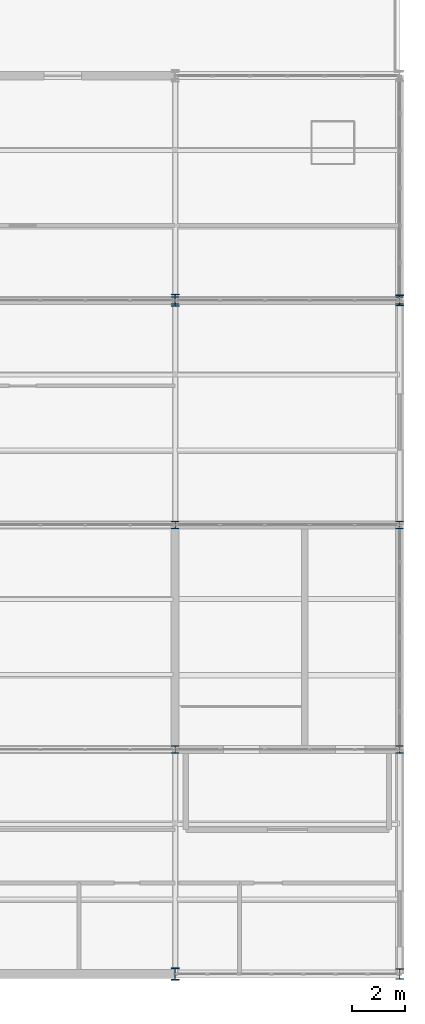
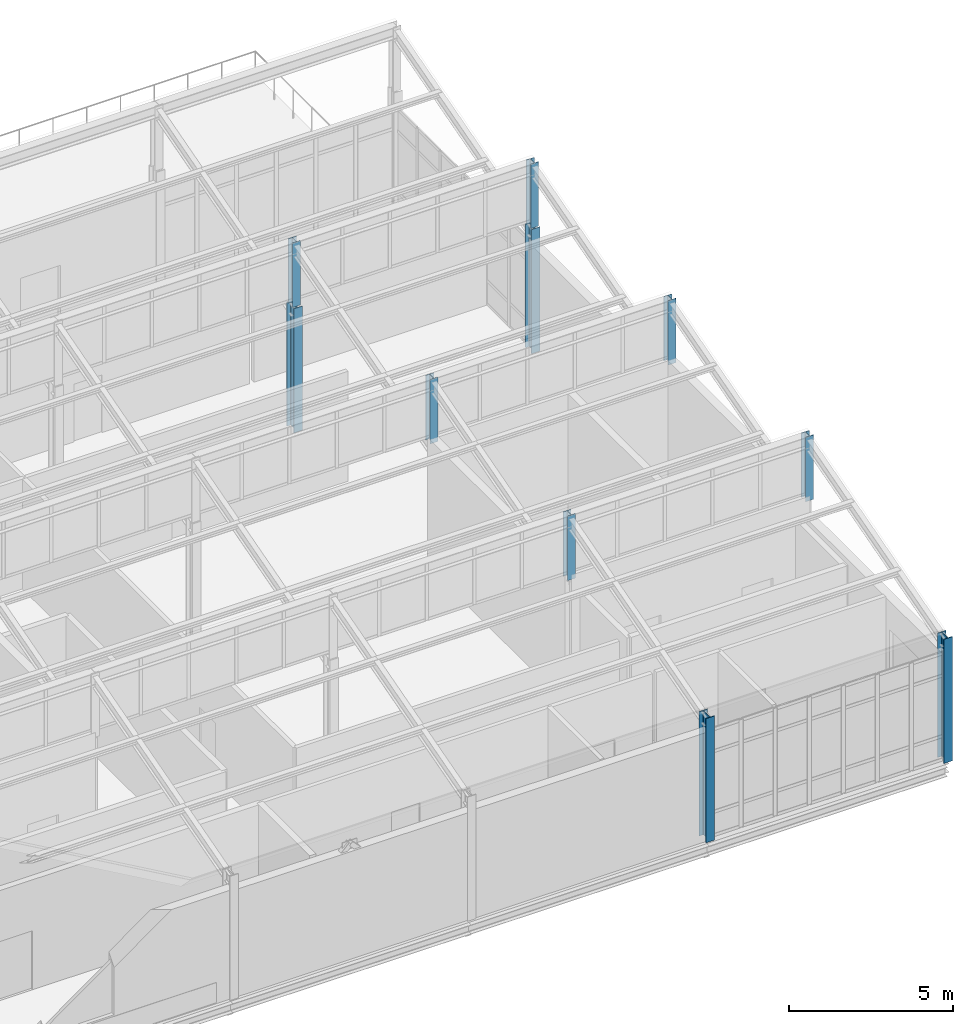
# One storey, part 2 of 53: 10 columns.
"""IFC4 building model written with IfcOpenShell, lengths in metres."""

from ifc_helpers import new_model, si_unit, direction, frame, origin, origin_2d, place, context, subcontext, project, spatial, i_section, extrude, material, material_profile, profile_set, type_object, element, save


model = new_model("IFC4")

# Units and contexts
model_context = context("Model", 3, precision=1e-05, world=origin(), true_north=direction((0.0, 1.0)))
body_context = subcontext(model_context, "Body", "Model", "MODEL_VIEW")
ifc_project = project(units=[si_unit("LENGTHUNIT", "METRE"), si_unit("AREAUNIT", "SQUARE_METRE"), si_unit("VOLUMEUNIT", "CUBIC_METRE"), si_unit("PLANEANGLEUNIT", "RADIAN"), si_unit("MASSUNIT", "GRAM", prefix="KILO")], contexts=[model_context])

# Site, building, storey
site_placement = place(None, origin())
site = spatial("IfcSite", under=ifc_project, at=site_placement, CompositionType="ELEMENT")
building_placement = place(site_placement, origin())
building = spatial("IfcBuilding", under=site, at=building_placement, Name="Qalvenar Corner Mobility Hub", CompositionType="ELEMENT")
storey_placement = place(building_placement, frame((0.0, 0.0, 26.39990234375)))
storey = spatial("IfcBuildingStorey", under=building, at=storey_placement, Name="L06", CompositionType="ELEMENT", Elevation=26.39990234375)

# Columns
ifc_material = material(Name="Steel S355", Category="steel")
ifc_material_profile_1 = material_profile(ifc_material, i_section(OverallWidth=0.280029296875, OverallDepth=0.280029296875, WebThickness=0.010498046875, FlangeThickness=0.01806640625, FilletRadius=0.02392578125, at=origin_2d()), Name="HEB280")
ifc_profile_set_1 = profile_set([ifc_material_profile_1], Name="Steel S355")
column_type_1 = type_object("IfcColumnType", Name="COL-HEB280", PredefinedType="COLUMN", material=ifc_profile_set_1)
for number, where, z_axis, x_axis, name in (
    (1, (33.60009765625, 8.39990234375, 4.630126953125), (0.0, 0.0, 1.0), (1.0, 0.0, 0.0), "Sawtooth Roof Post V3R-1-5"),
    (2, (42.0, 8.39990234375, 4.630126953125), (0.0, 0.0, 1.0), (1.0, 0.0, 0.0), "Sawtooth Roof Post V3R-1-6"),
    (3, (33.60009765625, 16.800048828125, 4.630126953125), (0.0, 0.0, 1.0), (1.0, 0.0, 0.0), "Sawtooth Roof Post V3R-2-5"),
    (4, (42.0, 16.800048828125, 4.630126953125), (0.0, 0.0, 1.0), (1.0, 0.0, 0.0), "Sawtooth Roof Post V3R-2-6"),
    (5, (33.60009765625, 25.199951171875, 4.630126953125), (0.0, 0.0, 1.0), (1.0, 0.0, 0.0), "Sawtooth Roof Post V3R-3-5"),
    (6, (42.0, 25.199951171875, 4.630126953125), (0.0, 0.0, 1.0), (1.0, 0.0, 0.0), "Sawtooth Roof Post V3R-3-6"),
):
    element("IfcColumn", number, at=place(storey_placement, frame(where, z_axis=z_axis, x_axis=x_axis)), inside=storey, type_object=column_type_1, Name=name, PredefinedType="COLUMN", context=body_context, shape_type="SweptSolid", body=[
        extrude(i_section(OverallWidth=0.280029296875, OverallDepth=0.280029296875, WebThickness=0.010498046875, FlangeThickness=0.01806640625, FilletRadius=0.02392578125, at=origin_2d()), origin(), (0.0, 0.0, 1.0), 2.39990234375),
    ])
ifc_material_profile_2 = material_profile(ifc_material, i_section(OverallWidth=0.300048828125, OverallDepth=0.39990234375, WebThickness=0.013427734375, FlangeThickness=0.02392578125, FilletRadius=0.027099609375, at=origin_2d()), Name="HEB400")
ifc_profile_set_2 = profile_set([ifc_material_profile_2], Name="Steel S355")
column_type_2 = type_object("IfcColumnType", Name="COL-HEB400", PredefinedType="COLUMN", material=ifc_profile_set_2)
for number, where, z_axis, x_axis, name in (
    (7, (42.0, 0.0, 0.0), (0.0, 0.0, 1.0), (1.0, 0.0, 0.0), "Steel Column L06-G6-0"),
    (8, (42.0, 25.199951171875, 0.0), (0.0, 0.0, 1.0), (1.0, 0.0, 0.0), "Steel Column L06-G6-3"),
):
    element("IfcColumn", number, at=place(storey_placement, frame(where, z_axis=z_axis, x_axis=x_axis)), inside=storey, type_object=column_type_2, Name=name, PredefinedType="COLUMN", context=body_context, shape_type="SweptSolid", body=[
        extrude(i_section(OverallWidth=0.300048828125, OverallDepth=0.39990234375, WebThickness=0.013427734375, FlangeThickness=0.02392578125, FilletRadius=0.027099609375, at=origin_2d()), origin(), (0.0, 0.0, 1.0), 4.630126953125),
    ])
ifc_material_profile_3 = material_profile(ifc_material, i_section(OverallWidth=0.300048828125, OverallDepth=0.449951171875, WebThickness=0.013916015625, FlangeThickness=0.02587890625, FilletRadius=0.027099609375, at=origin_2d()), Name="HEB450")
ifc_profile_set_3 = profile_set([ifc_material_profile_3], Name="Steel S355")
column_type_3 = type_object("IfcColumnType", Name="COL-HEB450", PredefinedType="COLUMN", material=ifc_profile_set_3)
for number, where, z_axis, x_axis, name in (
    (9, (33.60009765625, 0.0, 0.0), (0.0, 0.0, 1.0), (1.0, 0.0, 0.0), "Steel Column L06-G5-0"),
    (10, (33.60009765625, 25.199951171875, 0.0), (0.0, 0.0, 1.0), (1.0, 0.0, 0.0), "Steel Column L06-G5-3"),
):
    element("IfcColumn", number, at=place(storey_placement, frame(where, z_axis=z_axis, x_axis=x_axis)), inside=storey, type_object=column_type_3, Name=name, PredefinedType="COLUMN", context=body_context, shape_type="SweptSolid", body=[
        extrude(i_section(OverallWidth=0.300048828125, OverallDepth=0.449951171875, WebThickness=0.013916015625, FlangeThickness=0.02587890625, FilletRadius=0.027099609375, at=origin_2d()), origin(), (0.0, 0.0, 1.0), 4.630126953125),
    ])

save(model, "model.ifc")
